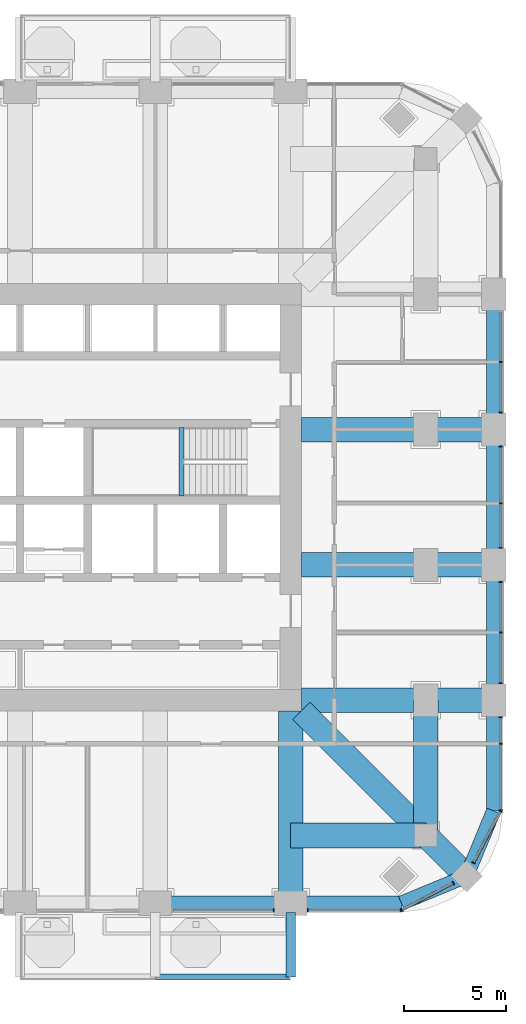
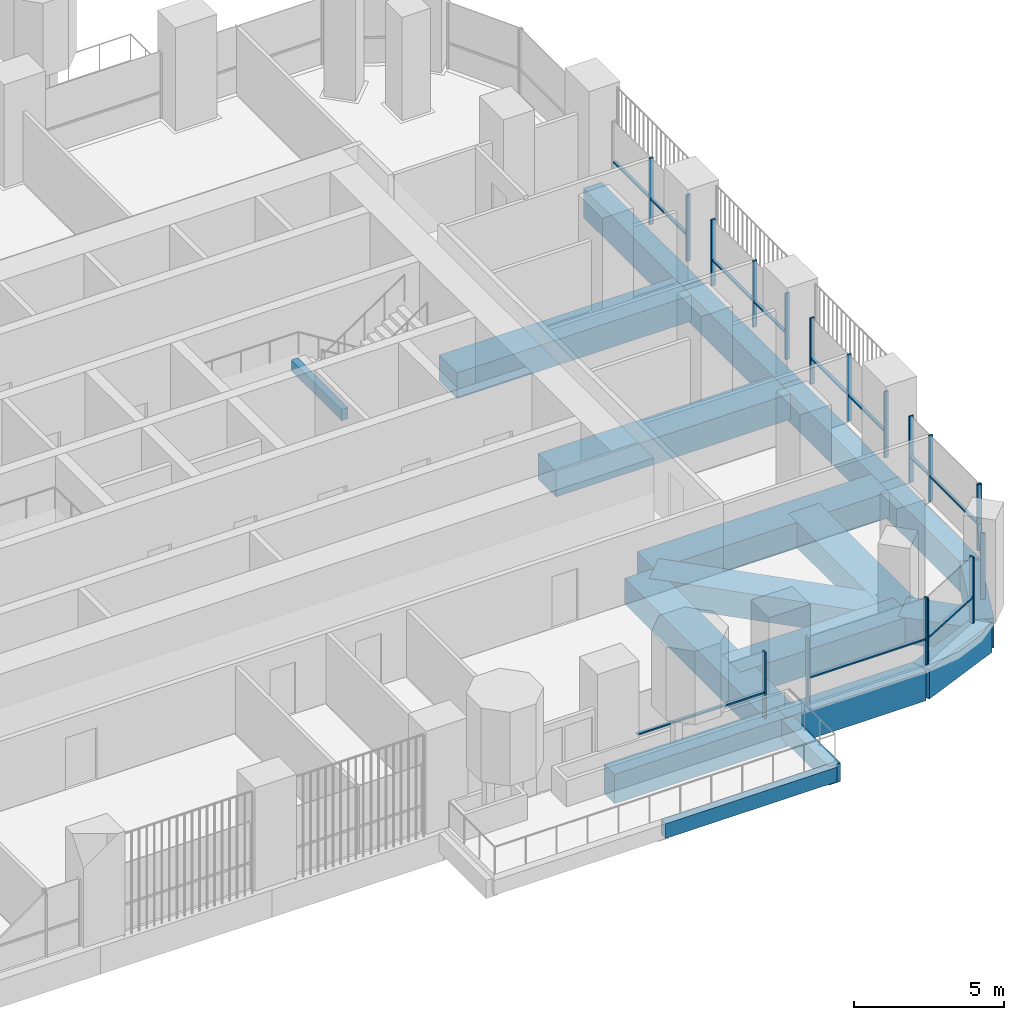
# One storey, part 5 of 19: 30 members, 19 beams, 8 elements without a shape of their own.
"""IFC4 building model written with IfcOpenShell, lengths in metres."""

from ifc_helpers import new_model, si_unit, direction, frame, origin, origin_2d, place, context, subcontext, project, spatial, rectangle, extrude, material, material_profile, profile_set, type_object, element, aggregate, save


model = new_model("IFC4")

# Units and contexts
model_context = context("Model", 3, precision=1e-05, world=origin(), true_north=direction((0.0, 1.0)))
body_context = subcontext(model_context, "Body", "Model", "MODEL_VIEW")
ifc_project = project(units=[si_unit("LENGTHUNIT", "METRE"), si_unit("AREAUNIT", "SQUARE_METRE"), si_unit("VOLUMEUNIT", "CUBIC_METRE"), si_unit("PLANEANGLEUNIT", "RADIAN"), si_unit("MASSUNIT", "GRAM", prefix="KILO")], contexts=[model_context])

# Site, building, storey
site_placement = place(None, origin())
site = spatial("IfcSite", under=ifc_project, at=site_placement, CompositionType="ELEMENT")
building_placement = place(site_placement, origin())
building = spatial("IfcBuilding", under=site, at=building_placement, Name="Cobogo Forest Laboratory Tower", CompositionType="ELEMENT")
storey_placement = place(building_placement, frame((0.0, 0.0, 197.699951171875)))
storey = spatial("IfcBuildingStorey", under=building, at=storey_placement, Name="L45", CompositionType="ELEMENT", Elevation=197.699951171875)

# Beams
ifc_material_1 = material(Name="Concrete HA-40 (C40/50)", Category="concrete")
ifc_material_profile_1 = material_profile(ifc_material_1, rectangle(XDim=0.449951171875, YDim=0.75, at=origin_2d()), Name="RC 450x750")
ifc_profile_set_1 = profile_set([ifc_material_profile_1], Name="Concrete HA-40 (C40/50)")
beam_type_1 = type_object("IfcBeamType", Name="Balcony cantilever beam 450x750", PredefinedType="BEAM", material=ifc_profile_set_1)
beam_1_placement = place(storey_placement, frame((39.60009765625, 2.85009765625, -0.625), z_axis=(0.0, -1.0, 0.0), x_axis=(1.0, 0.0, 0.0)))
element("IfcBeam", 1, at=beam_1_placement, inside=storey, type_object=beam_type_1, Name="CB1 BAL-S1-C3 L45", PredefinedType="BEAM", context=body_context, shape_type="SweptSolid", body=[
    extrude(rectangle(XDim=0.449951171875, YDim=0.75, at=origin_2d()), origin(), (0.0, 0.0, 1.0), 3.150146484375),
])
ifc_material_profile_2 = material_profile(ifc_material_1, rectangle(XDim=0.300048828125, YDim=0.60009765625, at=origin_2d()), Name="RC 300x600")
ifc_profile_set_2 = profile_set([ifc_material_profile_2], Name="Concrete HA-40 (C40/50)")
beam_type_2 = type_object("IfcBeamType", Name="Balcony edge beam 300x600", PredefinedType="BEAM", material=ifc_profile_set_2)
beam_2_placement = place(storey_placement, frame((33.0, -0.300048828125, -0.550048828125), z_axis=(1.0, 0.0, 0.0), x_axis=(0.0, 1.0, 0.0)))
element("IfcBeam", 2, at=beam_2_placement, inside=storey, type_object=beam_type_2, Name="BB1 BAL-S1-T2 L45", PredefinedType="BEAM", context=body_context, shape_type="SweptSolid", body=[
    extrude(rectangle(XDim=0.300048828125, YDim=0.60009765625, at=origin_2d()), origin(), (0.0, 0.0, 1.0), 6.60009765625),
])
ifc_material_profile_3 = material_profile(ifc_material_1, rectangle(XDim=0.25, YDim=0.449951171875, at=origin_2d()), Name="RC 250x450")
ifc_profile_set_3 = profile_set([ifc_material_profile_3], Name="Concrete HA-40 (C40/50)")
beam_type_3 = type_object("IfcBeamType", Name="LB1 landing beam 250x450", PredefinedType="BEAM", material=ifc_profile_set_3)
beam_3_placement = place(storey_placement, frame((34.27001953125, 23.14990234375, 1.675048828125), z_axis=(0.0, 1.0, 0.0), x_axis=(-1.0, 0.0, 0.0)))
element("IfcBeam", 3, at=beam_3_placement, inside=storey, type_object=beam_type_3, Name="Landing beam ST2 L45", PredefinedType="BEAM", context=body_context, shape_type="SweptSolid", body=[
    extrude(rectangle(XDim=0.25, YDim=0.449951171875, at=origin_2d()), origin(), (0.0, 0.0, 1.0), 3.35009765625),
])
ifc_material_profile_4 = material_profile(ifc_material_1, rectangle(XDim=1.199951171875, YDim=1.050048828125, at=origin_2d()), Name="RC 1200x1050")
ifc_profile_set_4 = profile_set([ifc_material_profile_4], Name="Concrete HA-40 (C40/50)")
beam_type_4 = type_object("IfcBeamType", Name="Laboratory floor wide beam 1200x1050", PredefinedType="BEAM", material=ifc_profile_set_4)
for number, where, z_axis, x_axis, name in (
    (4, (39.60009765625, 12.675048828125, -0.824951171875), (0.0, -1.0, 0.0), (1.0, 0.0, 0.0), "RB1 R-7-S L45"),
    (5, (40.125, 13.199951171875, -0.824951171875), (1.0, 0.0, 0.0), (0.0, 1.0, 0.0), "RB1 R-C-E L45"),
    (6, (40.125, 19.800048828125, -0.824951171875), (1.0, 0.0, 0.0), (0.0, 1.0, 0.0), "RB1 R-D-E L45"),
    (7, (40.125, 26.39990234375, -0.824951171875), (1.0, 0.0, 0.0), (0.0, 1.0, 0.0), "RB1 R-E-E L45"),
):
    element("IfcBeam", number, at=place(storey_placement, frame(where, z_axis=z_axis, x_axis=x_axis)), inside=storey, type_object=beam_type_4, Name=name, PredefinedType="BEAM", context=body_context, shape_type="SweptSolid", body=[
        extrude(rectangle(XDim=1.199951171875, YDim=1.050048828125, at=origin_2d()), origin(), (0.0, 0.0, 1.0), 9.375),
    ])
for number, where, z_axis, x_axis, name in (
    (8, (46.199951171875, 6.60009765625, -0.824951171875), (0.0, 1.0, 0.0), (-1.0, 0.0, 0.0), "RB1 G-SE-XC L45"),
    (9, (46.199951171875, 6.60009765625, -0.824951171875), (-1.0, 0.0, 0.0), (0.0, -1.0, 0.0), "RB1 G-SE-YC L45"),
):
    element("IfcBeam", number, at=place(storey_placement, frame(where, z_axis=z_axis, x_axis=x_axis)), inside=storey, type_object=beam_type_4, Name=name, PredefinedType="BEAM", context=body_context, shape_type="SweptSolid", body=[
        extrude(rectangle(XDim=1.199951171875, YDim=1.050048828125, at=origin_2d()), origin(), (0.0, 0.0, 1.0), 6.599853515625),
    ])
beam_4_placement = place(storey_placement, frame((48.181884765625, 4.617919921875, -0.824951171875), z_axis=(-0.707063230743, 0.707150328948, 0.0), x_axis=(-0.707150328948, -0.707063230743, 0.0)))
element("IfcBeam", 10, at=beam_4_placement, inside=storey, type_object=beam_type_4, Name="RB1 G-SE-D1 L45", PredefinedType="BEAM", context=body_context, shape_type="SweptSolid", body=[
    extrude(rectangle(XDim=1.199951171875, YDim=1.050048828125, at=origin_2d()), origin(), (0.0, 0.0, 1.0), 2.802978515625),
])
beam_5_placement = place(storey_placement, frame((46.199951171875, 6.60009765625, -0.824951171875), z_axis=(-0.707106781187, 0.707106781187, 0.0), x_axis=(-0.707106781187, -0.707106781187, 0.0)))
element("IfcBeam", 11, at=beam_5_placement, inside=storey, type_object=beam_type_4, Name="RB1 G-SE-D2 L45", PredefinedType="BEAM", context=body_context, shape_type="SweptSolid", body=[
    extrude(rectangle(XDim=1.199951171875, YDim=1.050048828125, at=origin_2d()), origin(), (0.0, 0.0, 1.0), 8.59130859375),
])

# Curtain wall, member
ifc_material_2 = material(Name="Aluminium curtain wall", Category="aluminium")
curtain_wall_type = type_object("IfcCurtainWallType", Name="CW-2 unitised curtain wall, solar control glazing, laboratory floors zones C and D", PredefinedType="USERDEFINED", material=ifc_material_2)
curtain_wall_1_placement = place(storey_placement, origin())
curtain_wall_1 = element("IfcCurtainWall", 12, at=curtain_wall_1_placement, inside=storey, type_object=curtain_wall_type, Name="Curtain wall 05 L45", ObjectType="UNITISED CURTAIN WALL", PredefinedType="USERDEFINED")
ifc_material_3 = material(Name="Aluminium mullion", Category="aluminium")
ifc_material_profile_5 = material_profile(ifc_material_3, rectangle(XDim=0.06005859375, YDim=0.159912109375, at=origin_2d()), Name="AL 60x160")
ifc_profile_set_5 = profile_set([ifc_material_profile_5], Name="Aluminium mullion")
member_type_1 = type_object("IfcMemberType", Name="MU-1 aluminium mullion 60x160", PredefinedType="MULLION", material=ifc_profile_set_5)
member_1_placement = place(storey_placement, frame((38.77001953125, 2.949951171875, 0.0), z_axis=(0.0, 0.0, 1.0), x_axis=(1.0, 0.0, 0.0)))
member_1 = element("IfcMember", 13, at=member_1_placement, type_object=member_type_1, Name="CW-2 mullion 2", PredefinedType="MULLION", context=body_context, shape_type="SweptSolid", body=[
    extrude(rectangle(XDim=0.06005859375, YDim=0.159912109375, at=origin_2d()), origin(), (0.0, 0.0, 1.0), 2.699951171875),
])

# Curtain wall, members
curtain_wall_2_placement = place(storey_placement, origin())
curtain_wall_2 = element("IfcCurtainWall", 14, at=curtain_wall_2_placement, inside=storey, type_object=curtain_wall_type, Name="Curtain wall 06 L45", ObjectType="UNITISED CURTAIN WALL", PredefinedType="USERDEFINED")
member_2_placement = place(storey_placement, frame((40.429931640625, 2.949951171875, 0.0), z_axis=(0.0, 0.0, 1.0), x_axis=(1.0, 0.0, 0.0)))
member_2 = element("IfcMember", 15, at=member_2_placement, type_object=member_type_1, Name="CW-2 mullion 1", PredefinedType="MULLION", context=body_context, shape_type="SweptSolid", body=[
    extrude(rectangle(XDim=0.06005859375, YDim=0.159912109375, at=origin_2d()), origin(), (0.0, 0.0, 1.0), 2.699951171875),
])
member_3_placement = place(storey_placement, frame((44.969970703125, 2.949951171875, 0.0), z_axis=(0.0, 0.0, 1.0), x_axis=(1.0, 0.0, 0.0)))
member_3 = element("IfcMember", 16, at=member_3_placement, type_object=member_type_1, Name="CW-2 mullion 2", PredefinedType="MULLION", context=body_context, shape_type="SweptSolid", body=[
    extrude(rectangle(XDim=0.06005859375, YDim=0.159912109375, at=origin_2d()), origin(), (0.0, 0.0, 1.0), 2.699951171875),
])

curtain_wall_3_placement = place(storey_placement, origin())
curtain_wall_3 = element("IfcCurtainWall", 17, at=curtain_wall_3_placement, inside=storey, type_object=curtain_wall_type, Name="Curtain wall 07 L45", ObjectType="UNITISED CURTAIN WALL", PredefinedType="USERDEFINED")
member_4_placement = place(storey_placement, frame((45.026611328125, 2.9638671875, 0.0), z_axis=(0.0, 0.0, 1.0), x_axis=(0.885686484356, 0.464283804832, 0.0)))
member_4 = element("IfcMember", 18, at=member_4_placement, type_object=member_type_1, Name="CW-2 mullion 1", PredefinedType="MULLION", context=body_context, shape_type="SweptSolid", body=[
    extrude(rectangle(XDim=0.06005859375, YDim=0.159912109375, at=origin_2d()), origin(), (0.0, 0.0, 1.0), 2.699951171875),
])
member_5_placement = place(storey_placement, frame((47.5244140625, 4.2734375, 0.0), z_axis=(0.0, 0.0, 1.0), x_axis=(0.885686484356, 0.464283804832, 0.0)))
member_5 = element("IfcMember", 19, at=member_5_placement, type_object=member_type_1, Name="CW-2 mullion 2", PredefinedType="MULLION", context=body_context, shape_type="SweptSolid", body=[
    extrude(rectangle(XDim=0.06005859375, YDim=0.159912109375, at=origin_2d()), origin(), (0.0, 0.0, 1.0), 2.699951171875),
])

curtain_wall_4_placement = place(storey_placement, origin())
curtain_wall_4 = element("IfcCurtainWall", 20, at=curtain_wall_4_placement, inside=storey, type_object=curtain_wall_type, Name="Curtain wall 08 L45", ObjectType="UNITISED CURTAIN WALL", PredefinedType="USERDEFINED")
member_6_placement = place(storey_placement, frame((48.526611328125, 5.275634765625, 0.0), z_axis=(0.0, 0.0, 1.0), x_axis=(0.464283804832, 0.885686484356, 0.0)))
member_6 = element("IfcMember", 21, at=member_6_placement, type_object=member_type_1, Name="CW-2 mullion 1", PredefinedType="MULLION", context=body_context, shape_type="SweptSolid", body=[
    extrude(rectangle(XDim=0.06005859375, YDim=0.159912109375, at=origin_2d()), origin(), (0.0, 0.0, 1.0), 2.699951171875),
])
member_7_placement = place(storey_placement, frame((49.836181640625, 7.7734375, 0.0), z_axis=(0.0, 0.0, 1.0), x_axis=(0.464283804832, 0.885686484356, 0.0)))
member_7 = element("IfcMember", 22, at=member_7_placement, type_object=member_type_1, Name="CW-2 mullion 2", PredefinedType="MULLION", context=body_context, shape_type="SweptSolid", body=[
    extrude(rectangle(XDim=0.06005859375, YDim=0.159912109375, at=origin_2d()), origin(), (0.0, 0.0, 1.0), 2.699951171875),
])

curtain_wall_5_placement = place(storey_placement, origin())
curtain_wall_5 = element("IfcCurtainWall", 23, at=curtain_wall_5_placement, inside=storey, type_object=curtain_wall_type, Name="Curtain wall 09 L45", ObjectType="UNITISED CURTAIN WALL", PredefinedType="USERDEFINED")
member_8_placement = place(storey_placement, frame((49.85009765625, 7.830078125, 0.0), z_axis=(0.0, 0.0, 1.0), x_axis=(0.0, 1.0, 0.0)))
member_8 = element("IfcMember", 24, at=member_8_placement, type_object=member_type_1, Name="CW-2 mullion 1", PredefinedType="MULLION", context=body_context, shape_type="SweptSolid", body=[
    extrude(rectangle(XDim=0.06005859375, YDim=0.159912109375, at=origin_2d()), origin(), (0.0, 0.0, 1.0), 2.699951171875),
])
member_9_placement = place(storey_placement, frame((49.85009765625, 11.074951171875, 0.0), z_axis=(0.0, 0.0, 1.0), x_axis=(0.0, 1.0, 0.0)))
member_9 = element("IfcMember", 25, at=member_9_placement, type_object=member_type_1, Name="CW-2 mullion 2", PredefinedType="MULLION", context=body_context, shape_type="SweptSolid", body=[
    extrude(rectangle(XDim=0.06005859375, YDim=0.159912109375, at=origin_2d()), origin(), (0.0, 0.0, 1.0), 2.699951171875),
])
member_10_placement = place(storey_placement, frame((49.85009765625, 12.3701171875, 0.0), z_axis=(0.0, 0.0, 1.0), x_axis=(0.0, 1.0, 0.0)))
member_10 = element("IfcMember", 26, at=member_10_placement, type_object=member_type_1, Name="CW-2 mullion 3", PredefinedType="MULLION", context=body_context, shape_type="SweptSolid", body=[
    extrude(rectangle(XDim=0.06005859375, YDim=0.159912109375, at=origin_2d()), origin(), (0.0, 0.0, 1.0), 2.699951171875),
])

curtain_wall_6_placement = place(storey_placement, origin())
curtain_wall_6 = element("IfcCurtainWall", 27, at=curtain_wall_6_placement, inside=storey, type_object=curtain_wall_type, Name="Curtain wall 10 L45", ObjectType="UNITISED CURTAIN WALL", PredefinedType="USERDEFINED")
member_11_placement = place(storey_placement, frame((49.85009765625, 14.030029296875, 0.0), z_axis=(0.0, 0.0, 1.0), x_axis=(0.0, 1.0, 0.0)))
member_11 = element("IfcMember", 28, at=member_11_placement, type_object=member_type_1, Name="CW-2 mullion 1", PredefinedType="MULLION", context=body_context, shape_type="SweptSolid", body=[
    extrude(rectangle(XDim=0.06005859375, YDim=0.159912109375, at=origin_2d()), origin(), (0.0, 0.0, 1.0), 2.699951171875),
])
member_12_placement = place(storey_placement, frame((49.85009765625, 16.5, 0.0), z_axis=(0.0, 0.0, 1.0), x_axis=(0.0, 1.0, 0.0)))
member_12 = element("IfcMember", 29, at=member_12_placement, type_object=member_type_1, Name="CW-2 mullion 2", PredefinedType="MULLION", context=body_context, shape_type="SweptSolid", body=[
    extrude(rectangle(XDim=0.06005859375, YDim=0.159912109375, at=origin_2d()), origin(), (0.0, 0.0, 1.0), 2.699951171875),
])
member_13_placement = place(storey_placement, frame((49.85009765625, 18.969970703125, 0.0), z_axis=(0.0, 0.0, 1.0), x_axis=(0.0, 1.0, 0.0)))
member_13 = element("IfcMember", 30, at=member_13_placement, type_object=member_type_1, Name="CW-2 mullion 3", PredefinedType="MULLION", context=body_context, shape_type="SweptSolid", body=[
    extrude(rectangle(XDim=0.06005859375, YDim=0.159912109375, at=origin_2d()), origin(), (0.0, 0.0, 1.0), 2.699951171875),
])

curtain_wall_7_placement = place(storey_placement, origin())
curtain_wall_7 = element("IfcCurtainWall", 31, at=curtain_wall_7_placement, inside=storey, type_object=curtain_wall_type, Name="Curtain wall 11 L45", ObjectType="UNITISED CURTAIN WALL", PredefinedType="USERDEFINED")
member_14_placement = place(storey_placement, frame((49.85009765625, 20.6298828125, 0.0), z_axis=(0.0, 0.0, 1.0), x_axis=(0.0, 1.0, 0.0)))
member_14 = element("IfcMember", 32, at=member_14_placement, type_object=member_type_1, Name="CW-2 mullion 1", PredefinedType="MULLION", context=body_context, shape_type="SweptSolid", body=[
    extrude(rectangle(XDim=0.06005859375, YDim=0.159912109375, at=origin_2d()), origin(), (0.0, 0.0, 1.0), 2.699951171875),
])
member_15_placement = place(storey_placement, frame((49.85009765625, 22.800048828125, 0.0), z_axis=(0.0, 0.0, 1.0), x_axis=(0.0, 1.0, 0.0)))
member_15 = element("IfcMember", 33, at=member_15_placement, type_object=member_type_1, Name="CW-2 mullion 2", PredefinedType="MULLION", context=body_context, shape_type="SweptSolid", body=[
    extrude(rectangle(XDim=0.06005859375, YDim=0.159912109375, at=origin_2d()), origin(), (0.0, 0.0, 1.0), 2.699951171875),
])
member_16_placement = place(storey_placement, frame((49.85009765625, 25.570068359375, 0.0), z_axis=(0.0, 0.0, 1.0), x_axis=(0.0, 1.0, 0.0)))
member_16 = element("IfcMember", 34, at=member_16_placement, type_object=member_type_1, Name="CW-2 mullion 3", PredefinedType="MULLION", context=body_context, shape_type="SweptSolid", body=[
    extrude(rectangle(XDim=0.06005859375, YDim=0.159912109375, at=origin_2d()), origin(), (0.0, 0.0, 1.0), 2.699951171875),
])

curtain_wall_8_placement = place(storey_placement, origin())
curtain_wall_8 = element("IfcCurtainWall", 35, at=curtain_wall_8_placement, inside=storey, type_object=curtain_wall_type, Name="Curtain wall 12 L45", ObjectType="UNITISED CURTAIN WALL", PredefinedType="USERDEFINED")
member_17_placement = place(storey_placement, frame((49.85009765625, 27.22998046875, 0.0), z_axis=(0.0, 0.0, 1.0), x_axis=(0.0, 1.0, 0.0)))
member_17 = element("IfcMember", 36, at=member_17_placement, type_object=member_type_1, Name="CW-2 mullion 1", PredefinedType="MULLION", context=body_context, shape_type="SweptSolid", body=[
    extrude(rectangle(XDim=0.06005859375, YDim=0.159912109375, at=origin_2d()), origin(), (0.0, 0.0, 1.0), 2.699951171875),
])
member_18_placement = place(storey_placement, frame((49.85009765625, 29.699951171875, 0.0), z_axis=(0.0, 0.0, 1.0), x_axis=(0.0, 1.0, 0.0)))
member_18 = element("IfcMember", 37, at=member_18_placement, type_object=member_type_1, Name="CW-2 mullion 2", PredefinedType="MULLION", context=body_context, shape_type="SweptSolid", body=[
    extrude(rectangle(XDim=0.06005859375, YDim=0.159912109375, at=origin_2d()), origin(), (0.0, 0.0, 1.0), 2.699951171875),
])

# Beams
ifc_material_profile_6 = material_profile(ifc_material_1, rectangle(XDim=0.699951171875, YDim=1.199951171875, at=origin_2d()), Name="RC 700x1200")
ifc_profile_set_6 = profile_set([ifc_material_profile_6], Name="Concrete HA-40 (C40/50)")
beam_type_5 = type_object("IfcBeamType", Name="Perimeter edge beam 700x1200", PredefinedType="BEAM", material=ifc_profile_set_6)
for number, where, z_axis, x_axis, name in (
    (38, (33.0, 3.300048828125, -0.89990234375), (1.0, 0.0, 0.0), (0.0, 1.0, 0.0), "EB1 E-S4 L45"),
    (39, (49.5, 13.199951171875, -0.89990234375), (0.0, 1.0, 0.0), (-1.0, 0.0, 0.0), "EB1 E-E1 L45"),
):
    element("IfcBeam", number, at=place(storey_placement, frame(where, z_axis=z_axis, x_axis=x_axis)), inside=storey, type_object=beam_type_5, Name=name, PredefinedType="BEAM", context=body_context, shape_type="SweptSolid", body=[
        extrude(rectangle(XDim=0.699951171875, YDim=1.199951171875, at=origin_2d()), origin(), (0.0, 0.0, 1.0), 6.60009765625),
    ])
beam_6_placement = place(storey_placement, frame((49.5, 19.800048828125, -0.89990234375), z_axis=(0.0, 1.0, 0.0), x_axis=(-1.0, 0.0, 0.0)))
element("IfcBeam", 40, at=beam_6_placement, inside=storey, type_object=beam_type_5, Name="EB1 E-E2 L45", PredefinedType="BEAM", context=body_context, shape_type="SweptSolid", body=[
    extrude(rectangle(XDim=0.699951171875, YDim=1.199951171875, at=origin_2d()), origin(), (0.0, 0.0, 1.0), 6.599853515625),
])
beam_7_placement = place(storey_placement, frame((49.5, 26.39990234375, -0.89990234375), z_axis=(0.0, 1.0, 0.0), x_axis=(-1.0, 0.0, 0.0)))
element("IfcBeam", 41, at=beam_7_placement, inside=storey, type_object=beam_type_5, Name="EB1 E-E3 L45", PredefinedType="BEAM", context=body_context, shape_type="SweptSolid", body=[
    extrude(rectangle(XDim=0.699951171875, YDim=1.199951171875, at=origin_2d()), origin(), (0.0, 0.0, 1.0), 6.60009765625),
])
beam_8_placement = place(storey_placement, frame((39.60009765625, 3.300048828125, -0.89990234375), z_axis=(1.0, 0.0, 0.0), x_axis=(0.0, 1.0, 0.0)))
element("IfcBeam", 42, at=beam_8_placement, inside=storey, type_object=beam_type_5, Name="EB1 E-SES1 L45", PredefinedType="BEAM", context=body_context, shape_type="SweptSolid", body=[
    extrude(rectangle(XDim=0.699951171875, YDim=1.199951171875, at=origin_2d()), origin(), (0.0, 0.0, 1.0), 5.39990234375),
])
beam_9_placement = place(storey_placement, frame((45.0, 3.300048828125, -0.89990234375), z_axis=(0.923890694089, 0.382656484822, 0.0), x_axis=(-0.382656484822, 0.923890694089, 0.0)))
element("IfcBeam", 43, at=beam_9_placement, inside=storey, type_object=beam_type_5, Name="EB1 E-SES2 L45", PredefinedType="BEAM", context=body_context, shape_type="SweptSolid", body=[
    extrude(rectangle(XDim=0.699951171875, YDim=1.199951171875, at=origin_2d()), origin(), (0.0, 0.0, 1.0), 3.444091796875),
])
beam_10_placement = place(storey_placement, frame((49.5, 13.199951171875, -0.89990234375), z_axis=(0.0, -1.0, 0.0), x_axis=(1.0, 0.0, 0.0)))
element("IfcBeam", 44, at=beam_10_placement, inside=storey, type_object=beam_type_5, Name="EB1 E-SEE1 L45", PredefinedType="BEAM", context=body_context, shape_type="SweptSolid", body=[
    extrude(rectangle(XDim=0.699951171875, YDim=1.199951171875, at=origin_2d()), origin(), (0.0, 0.0, 1.0), 5.39990234375),
])
beam_11_placement = place(storey_placement, frame((49.5, 7.800048828125, -0.89990234375), z_axis=(-0.382691928466, -0.923876013265, 0.0), x_axis=(0.923876013265, -0.382691928466, 0.0)))
element("IfcBeam", 45, at=beam_11_placement, inside=storey, type_object=beam_type_5, Name="EB1 E-SEE2 L45", PredefinedType="BEAM", context=body_context, shape_type="SweptSolid", body=[
    extrude(rectangle(XDim=0.699951171875, YDim=1.199951171875, at=origin_2d()), origin(), (0.0, 0.0, 1.0), 3.4443359375),
])

# Member
ifc_material_4 = material(Name="Aluminium transom", Category="aluminium")
ifc_material_profile_7 = material_profile(ifc_material_4, rectangle(XDim=0.1201171875, YDim=0.06005859375, at=origin_2d()), Name="AL 60x120")
ifc_profile_set_7 = profile_set([ifc_material_profile_7], Name="Aluminium transom")
member_type_2 = type_object("IfcMemberType", Name="TR-1 aluminium transom 60x120", PredefinedType="USERDEFINED", material=ifc_profile_set_7)
member_19_placement = place(storey_placement, frame((33.860107421875, 2.949951171875, 1.050048828125), z_axis=(1.0, 0.0, 0.0), x_axis=(0.0, 1.0, 0.0)))
member_19 = element("IfcMember", 46, at=member_19_placement, type_object=member_type_2, Name="CW-2 transom 1.1", ObjectType="TRANSOM", PredefinedType="USERDEFINED", context=body_context, shape_type="SweptSolid", body=[
    extrude(rectangle(XDim=0.1201171875, YDim=0.06005859375, at=origin_2d()), origin(), (0.0, 0.0, 1.0), 4.8798828125),
])

aggregate(curtain_wall_1, [member_1, member_19])

member_20_placement = place(storey_placement, frame((40.4599609375, 2.949951171875, 1.050048828125), z_axis=(1.0, 0.0, 0.0), x_axis=(0.0, 1.0, 0.0)))
member_20 = element("IfcMember", 47, at=member_20_placement, type_object=member_type_2, Name="CW-2 transom 1.1", ObjectType="TRANSOM", PredefinedType="USERDEFINED", context=body_context, shape_type="SweptSolid", body=[
    extrude(rectangle(XDim=0.1201171875, YDim=0.06005859375, at=origin_2d()), origin(), (0.0, 0.0, 1.0), 4.47998046875),
])

aggregate(curtain_wall_2, [member_2, member_3, member_20])

member_21_placement = place(storey_placement, frame((45.05322265625, 2.977783203125, 1.050048828125), z_axis=(0.885646224078, 0.464360598863, 0.0), x_axis=(-0.464360598863, 0.885646224078, 0.0)))
member_21 = element("IfcMember", 48, at=member_21_placement, type_object=member_type_2, Name="CW-2 transom 1.1", ObjectType="TRANSOM", PredefinedType="USERDEFINED", context=body_context, shape_type="SweptSolid", body=[
    extrude(rectangle(XDim=0.1201171875, YDim=0.06005859375, at=origin_2d()), origin(), (0.0, 0.0, 1.0), 2.76025390625),
])

aggregate(curtain_wall_3, [member_4, member_5, member_21])

member_22_placement = place(storey_placement, frame((48.54052734375, 5.302001953125, 1.050048828125), z_axis=(0.464254846591, 0.88570166389, 0.0), x_axis=(-0.88570166389, 0.464254846591, 0.0)))
member_22 = element("IfcMember", 49, at=member_22_placement, type_object=member_type_2, Name="CW-2 transom 1.1", ObjectType="TRANSOM", PredefinedType="USERDEFINED", context=body_context, shape_type="SweptSolid", body=[
    extrude(rectangle(XDim=0.1201171875, YDim=0.06005859375, at=origin_2d()), origin(), (0.0, 0.0, 1.0), 2.76025390625),
])

aggregate(curtain_wall_4, [member_6, member_7, member_22])

member_23_placement = place(storey_placement, frame((49.85009765625, 7.860107421875, 1.050048828125), z_axis=(0.0, 1.0, 0.0), x_axis=(-1.0, 0.0, 0.0)))
member_23 = element("IfcMember", 50, at=member_23_placement, type_object=member_type_2, Name="CW-2 transom 1.1", ObjectType="TRANSOM", PredefinedType="USERDEFINED", context=body_context, shape_type="SweptSolid", body=[
    extrude(rectangle(XDim=0.1201171875, YDim=0.06005859375, at=origin_2d()), origin(), (0.0, 0.0, 1.0), 3.184814453125),
])

member_24_placement = place(storey_placement, frame((49.85009765625, 11.10498046875, 1.050048828125), z_axis=(0.0, 1.0, 0.0), x_axis=(-1.0, 0.0, 0.0)))
member_24 = element("IfcMember", 51, at=member_24_placement, type_object=member_type_2, Name="CW-2 transom 2.1", ObjectType="TRANSOM", PredefinedType="USERDEFINED", context=body_context, shape_type="SweptSolid", body=[
    extrude(rectangle(XDim=0.1201171875, YDim=0.06005859375, at=origin_2d()), origin(), (0.0, 0.0, 1.0), 1.235107421875),
])

aggregate(curtain_wall_5, [member_8, member_9, member_10, member_23, member_24])

member_25_placement = place(storey_placement, frame((49.85009765625, 14.06005859375, 1.050048828125), z_axis=(0.0, 1.0, 0.0), x_axis=(-1.0, 0.0, 0.0)))
member_25 = element("IfcMember", 52, at=member_25_placement, type_object=member_type_2, Name="CW-2 transom 1.1", ObjectType="TRANSOM", PredefinedType="USERDEFINED", context=body_context, shape_type="SweptSolid", body=[
    extrude(rectangle(XDim=0.1201171875, YDim=0.06005859375, at=origin_2d()), origin(), (0.0, 0.0, 1.0), 2.409912109375),
])

member_26_placement = place(storey_placement, frame((49.85009765625, 16.530029296875, 1.050048828125), z_axis=(0.0, 1.0, 0.0), x_axis=(-1.0, 0.0, 0.0)))
member_26 = element("IfcMember", 53, at=member_26_placement, type_object=member_type_2, Name="CW-2 transom 2.1", ObjectType="TRANSOM", PredefinedType="USERDEFINED", context=body_context, shape_type="SweptSolid", body=[
    extrude(rectangle(XDim=0.1201171875, YDim=0.06005859375, at=origin_2d()), origin(), (0.0, 0.0, 1.0), 2.409912109375),
])

aggregate(curtain_wall_6, [member_11, member_12, member_13, member_25, member_26])

member_27_placement = place(storey_placement, frame((49.85009765625, 20.659912109375, 1.050048828125), z_axis=(0.0, 1.0, 0.0), x_axis=(-1.0, 0.0, 0.0)))
member_27 = element("IfcMember", 54, at=member_27_placement, type_object=member_type_2, Name="CW-2 transom 1.1", ObjectType="TRANSOM", PredefinedType="USERDEFINED", context=body_context, shape_type="SweptSolid", body=[
    extrude(rectangle(XDim=0.1201171875, YDim=0.06005859375, at=origin_2d()), origin(), (0.0, 0.0, 1.0), 2.110107421875),
])

member_28_placement = place(storey_placement, frame((49.85009765625, 22.830078125, 1.050048828125), z_axis=(0.0, 1.0, 0.0), x_axis=(-1.0, 0.0, 0.0)))
member_28 = element("IfcMember", 55, at=member_28_placement, type_object=member_type_2, Name="CW-2 transom 2.1", ObjectType="TRANSOM", PredefinedType="USERDEFINED", context=body_context, shape_type="SweptSolid", body=[
    extrude(rectangle(XDim=0.1201171875, YDim=0.06005859375, at=origin_2d()), origin(), (0.0, 0.0, 1.0), 2.7099609375),
])

aggregate(curtain_wall_7, [member_14, member_15, member_16, member_27, member_28])

member_29_placement = place(storey_placement, frame((49.85009765625, 27.260009765625, 1.050048828125), z_axis=(0.0, 1.0, 0.0), x_axis=(-1.0, 0.0, 0.0)))
member_29 = element("IfcMember", 56, at=member_29_placement, type_object=member_type_2, Name="CW-2 transom 1.1", ObjectType="TRANSOM", PredefinedType="USERDEFINED", context=body_context, shape_type="SweptSolid", body=[
    extrude(rectangle(XDim=0.1201171875, YDim=0.06005859375, at=origin_2d()), origin(), (0.0, 0.0, 1.0), 2.409912109375),
])

member_30_placement = place(storey_placement, frame((49.85009765625, 29.72998046875, 1.050048828125), z_axis=(0.0, 1.0, 0.0), x_axis=(-1.0, 0.0, 0.0)))
member_30 = element("IfcMember", 57, at=member_30_placement, type_object=member_type_2, Name="CW-2 transom 2.1", ObjectType="TRANSOM", PredefinedType="USERDEFINED", context=body_context, shape_type="SweptSolid", body=[
    extrude(rectangle(XDim=0.1201171875, YDim=0.06005859375, at=origin_2d()), origin(), (0.0, 0.0, 1.0), 2.409912109375),
])

aggregate(curtain_wall_8, [member_17, member_18, member_29, member_30])

save(model, "model.ifc")
